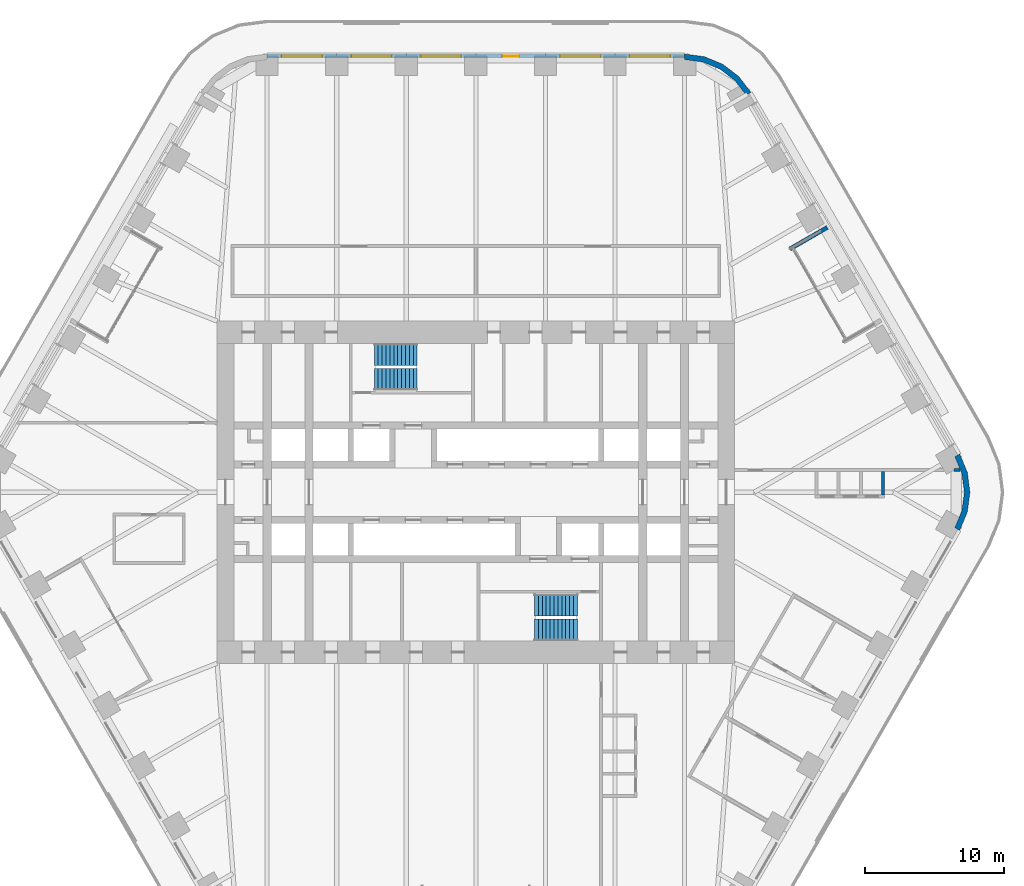
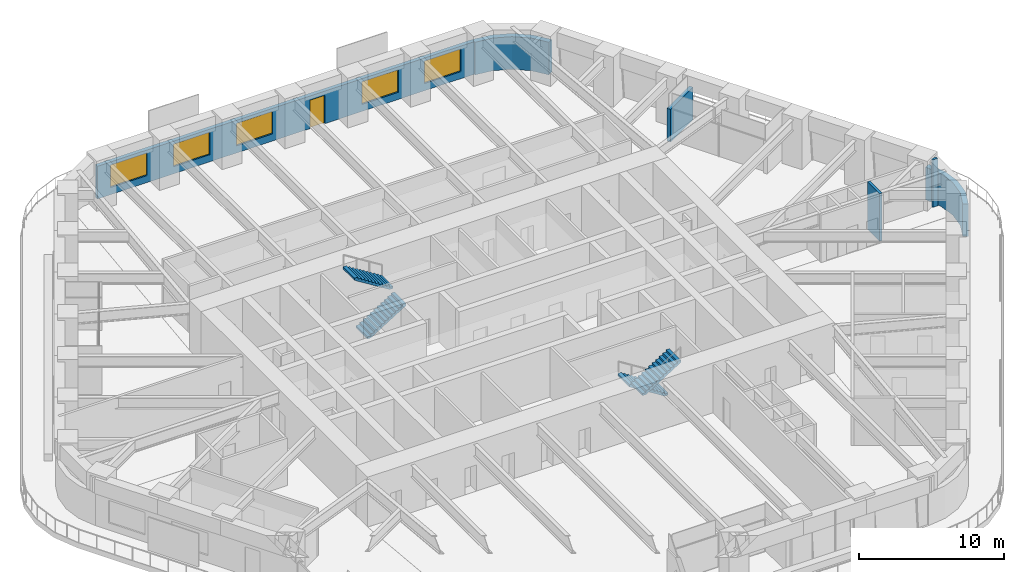
# One storey, part 21 of 24: 6 walls, 5 windows, 4 stair flights, 1 door, 6 openings, 2 elements without a shape of their own.
"""IFC4 building model written with IfcOpenShell, lengths in metres."""

from ifc_helpers import new_model, si_unit, direction, frame, frame_2d, origin, place, context, subcontext, project, spatial, polyline, rectangle, outline, extrude, material, layer, layer_set, type_object, element, fill, aggregate, save


model = new_model("IFC4")

# Units and contexts
model_context = context("Model", 3, precision=1e-05, world=origin(), true_north=direction((0.0, 1.0)))
body_context = subcontext(model_context, "Body", "Model", "MODEL_VIEW")
ifc_project = project(units=[si_unit("LENGTHUNIT", "METRE"), si_unit("AREAUNIT", "SQUARE_METRE"), si_unit("VOLUMEUNIT", "CUBIC_METRE"), si_unit("PLANEANGLEUNIT", "RADIAN"), si_unit("MASSUNIT", "GRAM", prefix="KILO")], contexts=[model_context])

# Site, building, storey
site_placement = place(None, origin())
site = spatial("IfcSite", under=ifc_project, at=site_placement, CompositionType="ELEMENT")
building_placement = place(site_placement, origin())
building = spatial("IfcBuilding", under=site, at=building_placement, Name="Tarfa Lantern Tower", CompositionType="ELEMENT")
storey_placement = place(building_placement, frame((0.0, 0.0, 165.699951171875)))
storey = spatial("IfcBuildingStorey", under=building, at=storey_placement, Name="L37", CompositionType="ELEMENT", Elevation=165.699951171875)

# Wall
ifc_material_1 = material(Name="Limestone cladding on blockwork", Category="masonry")
ifc_layer_1 = layer(ifc_material_1, 0.300048828125)
ifc_layer_set_1 = layer_set([ifc_layer_1], Name="EW1 STONE-CLAD WALL 300")
wall_type_1 = type_object("IfcWallType", Name="EW1 STONE-CLAD WALL 300", PredefinedType="SOLIDWALL", material=ifc_layer_set_1)
wall_1_placement = place(storey_placement, frame((25.266357421875, 19.037353515625, 0.0), z_axis=(0.0, 0.0, 1.0), x_axis=(-0.86600983753, -0.500026960575, 0.0)))
element("IfcWall", 1, at=wall_1_placement, inside=storey, type_object=wall_type_1, Name="Loggia return NE 2", PredefinedType="SOLIDWALL", context=body_context, shape_type="SweptSolid", body=[
    extrude(rectangle(XDim=3.099853515625, YDim=0.300048828125, at=frame_2d((1.5498046875, 0.0))), origin(), (0.0, 0.0, 1.0), 2.75),
])

# Wall, openings, door, windows
wall_2_placement = place(storey_placement, frame((15.010986328125, 31.35009765625, 0.0), z_axis=(0.0, 0.0, 1.0), x_axis=(-1.0, 0.0, 0.0)))
wall_2 = element("IfcWall", 2, at=wall_2_placement, inside=storey, type_object=wall_type_1, Name="Stone wall N", PredefinedType="SOLIDWALL", context=body_context, shape_type="SweptSolid", body=[
    extrude(rectangle(XDim=30.02197265625, YDim=0.300048828125, at=frame_2d((15.010986328125, 0.0))), origin(), (0.0, 0.0, 1.0), 2.75),
])
opening_1_placement = place(wall_2_placement, frame((1.0517578125, 0.0, 0.60009765625)))
opening_1 = element("IfcOpeningElement", 3, at=opening_1_placement, cuts=wall_2, Name="Opening W9", PredefinedType="OPENING", context=body_context, shape_type="SweptSolid", body=[
    extrude(rectangle(XDim=2.89990234375, YDim=1.89990234375, at=frame_2d((1.449951171875, 0.949951171875))), frame((0.0, 0.159912109375, 0.0), z_axis=(0.0, -1.0, 0.0), x_axis=(1.0, 0.0, 0.0)), (0.0, 0.0, 1.0), 0.320068359375),
])
opening_2_placement = place(wall_2_placement, frame((6.0556640625, 0.0, 0.60009765625)))
opening_2 = element("IfcOpeningElement", 4, at=opening_2_placement, cuts=wall_2, Name="Opening W9", PredefinedType="OPENING", context=body_context, shape_type="SweptSolid", body=[
    extrude(rectangle(XDim=2.89990234375, YDim=1.89990234375, at=frame_2d((1.449951171875, 0.949951171875))), frame((0.0, 0.159912109375, 0.0), z_axis=(0.0, -1.0, 0.0), x_axis=(1.0, 0.0, 0.0)), (0.0, 0.0, 1.0), 0.320068359375),
])
opening_3_placement = place(wall_2_placement, frame((11.9091796875, 0.0, 0.0)))
opening_3 = element("IfcOpeningElement", 5, at=opening_3_placement, cuts=wall_2, Name="Opening D50", PredefinedType="OPENING", context=body_context, shape_type="SweptSolid", body=[
    extrude(rectangle(XDim=1.199951171875, YDim=2.39990234375, at=frame_2d((0.60009765625, 1.199951171875))), frame((0.0, 0.159912109375, 0.0), z_axis=(0.0, -1.0, 0.0), x_axis=(1.0, 0.0, 0.0)), (0.0, 0.0, 1.0), 0.320068359375),
])
opening_4_placement = place(wall_2_placement, frame((16.06298828125, 0.0, 0.60009765625)))
opening_4 = element("IfcOpeningElement", 6, at=opening_4_placement, cuts=wall_2, Name="Opening W9", PredefinedType="OPENING", context=body_context, shape_type="SweptSolid", body=[
    extrude(rectangle(XDim=2.89990234375, YDim=1.89990234375, at=frame_2d((1.449951171875, 0.949951171875))), frame((0.0, 0.159912109375, 0.0), z_axis=(0.0, -1.0, 0.0), x_axis=(1.0, 0.0, 0.0)), (0.0, 0.0, 1.0), 0.320068359375),
])
opening_5_placement = place(wall_2_placement, frame((21.066650390625, 0.0, 0.60009765625)))
opening_5 = element("IfcOpeningElement", 7, at=opening_5_placement, cuts=wall_2, Name="Opening W9", PredefinedType="OPENING", context=body_context, shape_type="SweptSolid", body=[
    extrude(rectangle(XDim=2.89990234375, YDim=1.89990234375, at=frame_2d((1.449951171875, 0.949951171875))), frame((0.0, 0.159912109375, 0.0), z_axis=(0.0, -1.0, 0.0), x_axis=(1.0, 0.0, 0.0)), (0.0, 0.0, 1.0), 0.320068359375),
])
opening_6_placement = place(wall_2_placement, frame((26.0703125, 0.0, 0.60009765625)))
opening_6 = element("IfcOpeningElement", 8, at=opening_6_placement, cuts=wall_2, Name="Opening W9", PredefinedType="OPENING", context=body_context, shape_type="SweptSolid", body=[
    extrude(rectangle(XDim=2.89990234375, YDim=1.89990234375, at=frame_2d((1.449951171875, 0.949951171875))), frame((0.0, 0.159912109375, 0.0), z_axis=(0.0, -1.0, 0.0), x_axis=(1.0, 0.0, 0.0)), (0.0, 0.0, 1.0), 0.320068359375),
])
ifc_material_2 = material(Name="Aluminium framed glazed door", Category="aluminium")
door_type = type_object("IfcDoorType", Name="BE3 BALCONY DOOR 1200x2400", OperationType="SINGLE_SWING_RIGHT", PredefinedType="DOOR", material=ifc_material_2)
door_placement = place(opening_3_placement, origin())
door = element("IfcDoor", 9, at=door_placement, inside=storey, type_object=door_type, Name="Balcony door N", OperationType="SINGLE_SWING_RIGHT", OverallHeight=2.39990234375, OverallWidth=1.199951171875, PredefinedType="DOOR", context=body_context, shape_type="SweptSolid", body=[
    extrude(rectangle(XDim=1.199951171875, YDim=2.39990234375, at=frame_2d((0.60009765625, 1.199951171875))), frame((0.0, 0.02490234375, 0.0), z_axis=(0.0, -1.0, 0.0), x_axis=(1.0, 0.0, 0.0)), (0.0, 0.0, 1.0), 0.050048828125),
])
fill(opening_3, door)
ifc_material_3 = material(Name="Aluminium frame, double glazed", Category="aluminium")
window_type = type_object("IfcWindowType", Name="W9 FULL-HEIGHT GLAZING 2900x1900", PartitioningType="SINGLE_PANEL", PredefinedType="WINDOW", material=ifc_material_3)
window_1_placement = place(opening_1_placement, origin())
window_1 = element("IfcWindow", 10, at=window_1_placement, inside=storey, type_object=window_type, Name="Window N 1", OverallHeight=1.89990234375, OverallWidth=2.89990234375, PartitioningType="SINGLE_PANEL", PredefinedType="WINDOW", context=body_context, shape_type="SweptSolid", body=[
    extrude(rectangle(XDim=2.89990234375, YDim=1.89990234375, at=frame_2d((1.449951171875, 0.949951171875))), frame((0.0, 0.030029296875, 0.0), z_axis=(0.0, -1.0, 0.0), x_axis=(1.0, 0.0, 0.0)), (0.0, 0.0, 1.0), 0.06005859375),
])
fill(opening_1, window_1)
window_2_placement = place(opening_2_placement, origin())
window_2 = element("IfcWindow", 11, at=window_2_placement, inside=storey, type_object=window_type, Name="Window N 2", OverallHeight=1.89990234375, OverallWidth=2.89990234375, PartitioningType="SINGLE_PANEL", PredefinedType="WINDOW", context=body_context, shape_type="SweptSolid", body=[
    extrude(rectangle(XDim=2.89990234375, YDim=1.89990234375, at=frame_2d((1.449951171875, 0.949951171875))), frame((0.0, 0.030029296875, 0.0), z_axis=(0.0, -1.0, 0.0), x_axis=(1.0, 0.0, 0.0)), (0.0, 0.0, 1.0), 0.06005859375),
])
fill(opening_2, window_2)
window_3_placement = place(opening_4_placement, origin())
window_3 = element("IfcWindow", 12, at=window_3_placement, inside=storey, type_object=window_type, Name="Window N 4", OverallHeight=1.89990234375, OverallWidth=2.89990234375, PartitioningType="SINGLE_PANEL", PredefinedType="WINDOW", context=body_context, shape_type="SweptSolid", body=[
    extrude(rectangle(XDim=2.89990234375, YDim=1.89990234375, at=frame_2d((1.449951171875, 0.949951171875))), frame((0.0, 0.030029296875, 0.0), z_axis=(0.0, -1.0, 0.0), x_axis=(1.0, 0.0, 0.0)), (0.0, 0.0, 1.0), 0.06005859375),
])
fill(opening_4, window_3)
window_4_placement = place(opening_5_placement, origin())
window_4 = element("IfcWindow", 13, at=window_4_placement, inside=storey, type_object=window_type, Name="Window N 5", OverallHeight=1.89990234375, OverallWidth=2.89990234375, PartitioningType="SINGLE_PANEL", PredefinedType="WINDOW", context=body_context, shape_type="SweptSolid", body=[
    extrude(rectangle(XDim=2.89990234375, YDim=1.89990234375, at=frame_2d((1.449951171875, 0.949951171875))), frame((0.0, 0.030029296875, 0.0), z_axis=(0.0, -1.0, 0.0), x_axis=(1.0, 0.0, 0.0)), (0.0, 0.0, 1.0), 0.06005859375),
])
fill(opening_5, window_4)
window_5_placement = place(opening_6_placement, origin())
window_5 = element("IfcWindow", 14, at=window_5_placement, inside=storey, type_object=window_type, Name="Window N 6", OverallHeight=1.89990234375, OverallWidth=2.89990234375, PartitioningType="SINGLE_PANEL", PredefinedType="WINDOW", context=body_context, shape_type="SweptSolid", body=[
    extrude(rectangle(XDim=2.89990234375, YDim=1.89990234375, at=frame_2d((1.449951171875, 0.949951171875))), frame((0.0, 0.030029296875, 0.0), z_axis=(0.0, -1.0, 0.0), x_axis=(1.0, 0.0, 0.0)), (0.0, 0.0, 1.0), 0.06005859375),
])
fill(opening_6, window_5)

# Walls
ifc_layer_2 = layer(ifc_material_1, 0.39990234375)
ifc_layer_set_2 = layer_set([ifc_layer_2], Name="EW2 CURVED STONE CORNER 400")
wall_type_2 = type_object("IfcWallType", Name="EW2 CURVED STONE CORNER 400", PredefinedType="SOLIDWALL", material=ifc_layer_set_2)
wall_3_placement = place(storey_placement, origin())
element("IfcWall", 15, at=wall_3_placement, inside=storey, type_object=wall_type_2, Name="Stone corner NE-N", PredefinedType="SOLIDWALL", context=body_context, shape_type="SweptSolid", body=[
    extrude(outline(polyline([(19.774169921875, 28.75), (18.900146484375, 29.88916015625), (17.760986328125, 30.76318359375), (16.4345703125, 31.3125), (15.010986328125, 31.5), (15.010986328125, 31.10009765625), (16.3310546875, 30.92626953125), (17.56103515625, 30.416748046875), (18.617431640625, 29.606201171875), (19.427734375, 28.550048828125), (19.774169921875, 28.75)])), origin(), (0.0, 0.0, 1.0), 2.75),
])
wall_4_placement = place(storey_placement, origin())
element("IfcWall", 16, at=wall_4_placement, inside=storey, type_object=wall_type_2, Name="Stone corner SE-NE", PredefinedType="SOLIDWALL", context=body_context, shape_type="SweptSolid", body=[
    extrude(outline(polyline([(34.785400390625, -2.75), (35.334716796875, -1.423583984375), (35.522216796875, 0.0), (35.334716796875, 1.423583984375), (34.785400390625, 2.75), (34.43896484375, 2.550048828125), (34.948486328125, 1.320068359375), (35.122314453125, 0.0), (34.948486328125, -1.320068359375), (34.43896484375, -2.550048828125), (34.785400390625, -2.75)])), origin(), (0.0, 0.0, 1.0), 2.75),
])
ifc_material_4 = material(Name="Gypsum board on steel studs", Category="steel")
ifc_layer_3 = layer(ifc_material_4, 0.2099609375)
ifc_layer_set_3 = layer_set([ifc_layer_3], Name="IW2 ACOUSTIC PARTITION 200")
wall_type_3 = type_object("IfcWallType", Name="IW2 ACOUSTIC PARTITION 200", PredefinedType="PARTITIONING", material=ifc_layer_set_3)
wall_5_placement = place(storey_placement, frame((34.3935546875, 1.60009765625, 0.0), z_axis=(0.0, 0.0, 1.0), x_axis=(1.0, 0.0, 0.0)))
element("IfcWall", 17, at=wall_5_placement, inside=storey, type_object=wall_type_3, Name="Partition", PredefinedType="PARTITIONING", context=body_context, shape_type="SweptSolid", body=[
    extrude(rectangle(XDim=0.397705078125, YDim=0.199951171875, at=frame_2d((0.19873046875, 0.0))), origin(), (0.0, 0.0, 1.0), 4.0),
])
wall_6_placement = place(storey_placement, frame((29.28271484375, 1.5, 0.0), z_axis=(0.0, 0.0, 1.0), x_axis=(0.0, -1.0, 0.0)))
element("IfcWall", 18, at=wall_6_placement, inside=storey, type_object=wall_type_3, Name="Partition", PredefinedType="PARTITIONING", context=body_context, shape_type="SweptSolid", body=[
    extrude(rectangle(XDim=1.699951171875, YDim=0.199951171875, at=frame_2d((0.85009765625, 0.0))), origin(), (0.0, 0.0, 1.0), 4.0),
])

# Stair, stair flights
ifc_material_5 = material(Name="Concrete C40/50", Category="concrete")
stair_type = type_object("IfcStairType", Name="ST-T10 HALF-TURN STAIR 4200 RISE", PredefinedType="HALF_TURN_STAIR", material=ifc_material_5)
stair_1_placement = place(storey_placement, origin())
stair_1 = element("IfcStair", 19, at=stair_1_placement, inside=storey, type_object=stair_type, Name="Stair ST1", PredefinedType="HALF_TURN_STAIR")
stair_flight_type = type_object("IfcStairFlightType", Name="SF1 STAIR FLIGHT", PredefinedType="STRAIGHT", material=ifc_material_5)
stair_flight_1_placement = place(storey_placement, frame((-7.300048828125, 8.10009765625, 0.0), z_axis=(0.0, 0.0, 1.0), x_axis=(1.0, 0.0, 0.0)))
stair_flight_1 = element("IfcStairFlight", 20, at=stair_flight_1_placement, type_object=stair_flight_type, Name="ST1 flight 1", NumberOfRisers=12, NumberOfTreads=11, PredefinedType="STRAIGHT", RiserHeight=0.175, TreadLength=0.28, context=body_context, shape_type="SweptSolid", body=[
    extrude(outline(polyline([(0.0, 0.0), (0.0, 0.175048828125), (0.280029296875, 0.175048828125), (0.280029296875, 0.35009765625), (0.56005859375, 0.35009765625), (0.56005859375, 0.52490234375), (0.840087890625, 0.52490234375), (0.840087890625, 0.699951171875), (1.1201171875, 0.699951171875), (1.1201171875, 0.875), (1.39990234375, 0.875), (1.39990234375, 1.050048828125), (1.679931640625, 1.050048828125), (1.679931640625, 1.22509765625), (1.9599609375, 1.22509765625), (1.9599609375, 1.39990234375), (2.239990234375, 1.39990234375), (2.239990234375, 1.574951171875), (2.52001953125, 1.574951171875), (2.52001953125, 1.75), (2.800048828125, 1.75), (2.800048828125, 1.925048828125), (3.080078125, 1.925048828125), (3.080078125, 2.10009765625), (3.080078125, 1.748291015625), (0.28271484375, 0.0), (0.0, 0.0)])), frame((0.0, 0.800048828125, 0.0), z_axis=(0.0, -1.0, 0.0), x_axis=(1.0, 0.0, 0.0)), (0.0, 0.0, 1.0), 1.60009765625),
])
stair_flight_2_placement = place(storey_placement, frame((-4.219970703125, 9.89990234375, 2.10009765625), z_axis=(0.0, 0.0, 1.0), x_axis=(-1.0, 0.0, 0.0)))
stair_flight_2 = element("IfcStairFlight", 21, at=stair_flight_2_placement, type_object=stair_flight_type, Name="ST1 flight 2", NumberOfRisers=12, NumberOfTreads=11, PredefinedType="STRAIGHT", RiserHeight=0.175, TreadLength=0.28, context=body_context, shape_type="SweptSolid", body=[
    extrude(outline(polyline([(0.0, 0.0), (0.0, 0.175048828125), (0.280029296875, 0.175048828125), (0.280029296875, 0.35009765625), (0.56005859375, 0.35009765625), (0.56005859375, 0.52490234375), (0.840087890625, 0.52490234375), (0.840087890625, 0.699951171875), (1.1201171875, 0.699951171875), (1.1201171875, 0.875), (1.39990234375, 0.875), (1.39990234375, 1.050048828125), (1.679931640625, 1.050048828125), (1.679931640625, 1.22509765625), (1.9599609375, 1.22509765625), (1.9599609375, 1.39990234375), (2.239990234375, 1.39990234375), (2.239990234375, 1.574951171875), (2.52001953125, 1.574951171875), (2.52001953125, 1.75), (2.800048828125, 1.75), (2.800048828125, 1.925048828125), (3.080078125, 1.925048828125), (3.080078125, 2.10009765625), (3.080078125, 1.748291015625), (0.28271484375, 0.0), (0.0, 0.0)])), frame((0.0, 0.800048828125, 0.0), z_axis=(0.0, -1.0, 0.0), x_axis=(1.0, 0.0, 0.0)), (0.0, 0.0, 1.0), 1.60009765625),
])
aggregate(stair_1, [stair_flight_1, stair_flight_2])

stair_2_placement = place(storey_placement, origin())
stair_2 = element("IfcStair", 22, at=stair_2_placement, inside=storey, type_object=stair_type, Name="Stair ST2", PredefinedType="HALF_TURN_STAIR")
stair_flight_3_placement = place(storey_placement, frame((7.300048828125, -8.10009765625, 0.0), z_axis=(0.0, 0.0, 1.0), x_axis=(-1.0, 0.0, 0.0)))
stair_flight_3 = element("IfcStairFlight", 23, at=stair_flight_3_placement, type_object=stair_flight_type, Name="ST2 flight 1", NumberOfRisers=12, NumberOfTreads=11, PredefinedType="STRAIGHT", RiserHeight=0.175, TreadLength=0.28, context=body_context, shape_type="SweptSolid", body=[
    extrude(outline(polyline([(0.0, 0.0), (0.0, 0.175048828125), (0.280029296875, 0.175048828125), (0.280029296875, 0.35009765625), (0.56005859375, 0.35009765625), (0.56005859375, 0.52490234375), (0.840087890625, 0.52490234375), (0.840087890625, 0.699951171875), (1.1201171875, 0.699951171875), (1.1201171875, 0.875), (1.39990234375, 0.875), (1.39990234375, 1.050048828125), (1.679931640625, 1.050048828125), (1.679931640625, 1.22509765625), (1.9599609375, 1.22509765625), (1.9599609375, 1.39990234375), (2.239990234375, 1.39990234375), (2.239990234375, 1.574951171875), (2.52001953125, 1.574951171875), (2.52001953125, 1.75), (2.800048828125, 1.75), (2.800048828125, 1.925048828125), (3.080078125, 1.925048828125), (3.080078125, 2.10009765625), (3.080078125, 1.748291015625), (0.28271484375, 0.0), (0.0, 0.0)])), frame((0.0, 0.800048828125, 0.0), z_axis=(0.0, -1.0, 0.0), x_axis=(1.0, 0.0, 0.0)), (0.0, 0.0, 1.0), 1.60009765625),
])
stair_flight_4_placement = place(storey_placement, frame((4.219970703125, -9.89990234375, 2.10009765625), z_axis=(0.0, 0.0, 1.0), x_axis=(1.0, 0.0, 0.0)))
stair_flight_4 = element("IfcStairFlight", 24, at=stair_flight_4_placement, type_object=stair_flight_type, Name="ST2 flight 2", NumberOfRisers=12, NumberOfTreads=11, PredefinedType="STRAIGHT", RiserHeight=0.175, TreadLength=0.28, context=body_context, shape_type="SweptSolid", body=[
    extrude(outline(polyline([(0.0, 0.0), (0.0, 0.175048828125), (0.280029296875, 0.175048828125), (0.280029296875, 0.35009765625), (0.56005859375, 0.35009765625), (0.56005859375, 0.52490234375), (0.840087890625, 0.52490234375), (0.840087890625, 0.699951171875), (1.1201171875, 0.699951171875), (1.1201171875, 0.875), (1.39990234375, 0.875), (1.39990234375, 1.050048828125), (1.679931640625, 1.050048828125), (1.679931640625, 1.22509765625), (1.9599609375, 1.22509765625), (1.9599609375, 1.39990234375), (2.239990234375, 1.39990234375), (2.239990234375, 1.574951171875), (2.52001953125, 1.574951171875), (2.52001953125, 1.75), (2.800048828125, 1.75), (2.800048828125, 1.925048828125), (3.080078125, 1.925048828125), (3.080078125, 2.10009765625), (3.080078125, 1.748291015625), (0.28271484375, 0.0), (0.0, 0.0)])), frame((0.0, 0.800048828125, 0.0), z_axis=(0.0, -1.0, 0.0), x_axis=(1.0, 0.0, 0.0)), (0.0, 0.0, 1.0), 1.60009765625),
])
aggregate(stair_2, [stair_flight_3, stair_flight_4])

save(model, "model.ifc")
